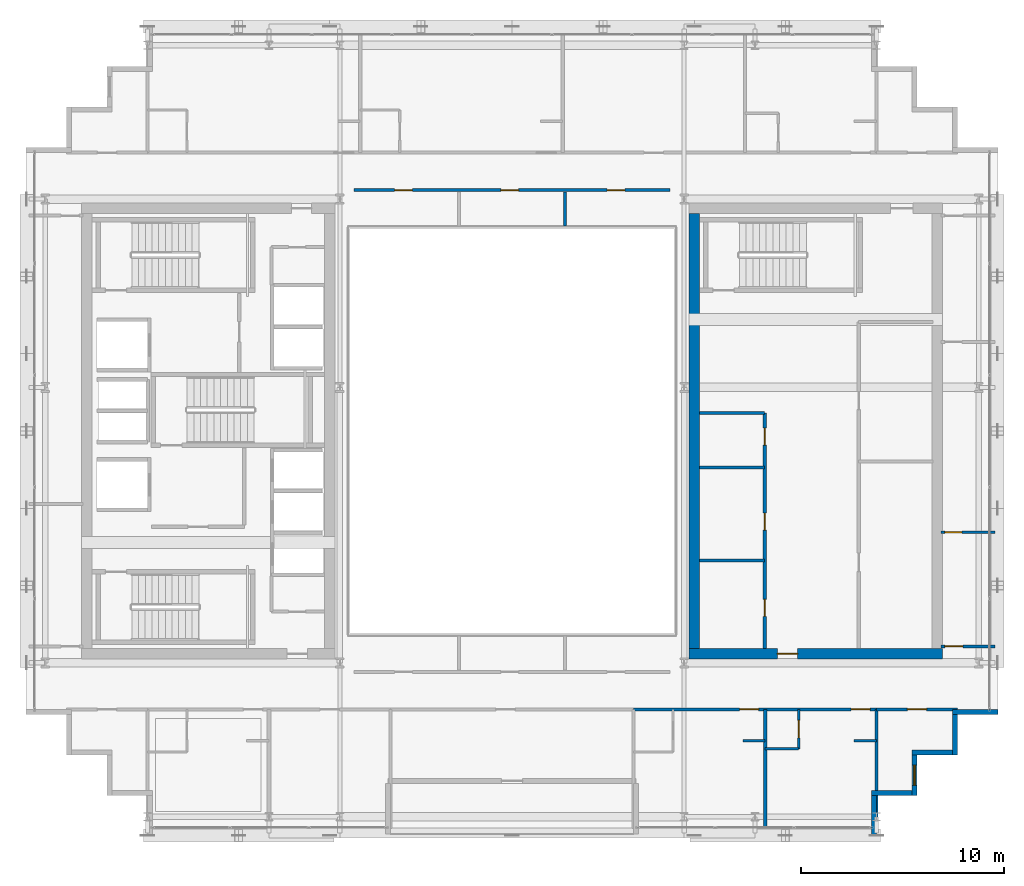
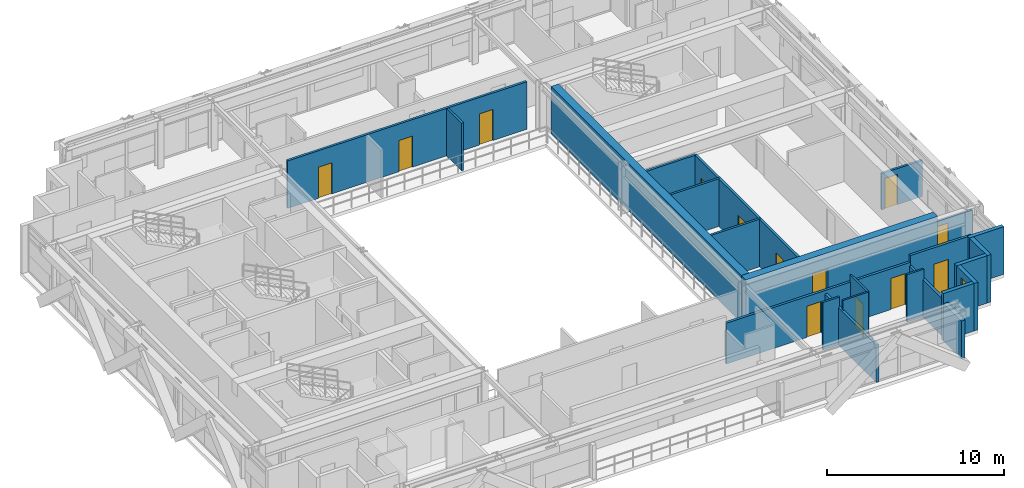
# One storey, part 26 of 32: 24 walls, 13 doors, 1 window, 14 openings.
"""IFC4 building model written with IfcOpenShell, lengths in metres."""

from ifc_helpers import new_model, si_unit, direction, frame, frame_2d, origin, place, context, subcontext, project, spatial, rectangle, extrude, source, transform, mapped, material, layer, layer_set, type_object, element, fill, save


model = new_model("IFC4")

# Units and contexts
model_context = context("Model", 3, precision=1e-05, world=origin(), true_north=direction((0.0, 1.0)))
body_context = subcontext(model_context, "Body", "Model", "MODEL_VIEW")
ifc_project = project(units=[si_unit("LENGTHUNIT", "METRE"), si_unit("AREAUNIT", "SQUARE_METRE"), si_unit("VOLUMEUNIT", "CUBIC_METRE"), si_unit("PLANEANGLEUNIT", "RADIAN"), si_unit("MASSUNIT", "GRAM", prefix="KILO")], contexts=[model_context])

# Site, building, storey
site_placement = place(None, origin())
site = spatial("IfcSite", under=ifc_project, at=site_placement, CompositionType="ELEMENT")
building_placement = place(site_placement, origin())
building = spatial("IfcBuilding", under=site, at=building_placement, Name="Ocotamira Hotel", CompositionType="ELEMENT")
storey_placement = place(building_placement, frame((0.0, 0.0, 217.199951171875)))
storey = spatial("IfcBuildingStorey", under=building, at=storey_placement, Name="L55", CompositionType="ELEMENT", Elevation=217.199951171875)

# Wall, opening, door
ifc_material_1 = material(Name="Concrete C50/60", Category="concrete")
ifc_layer_1 = layer(ifc_material_1, 0.5)
ifc_layer_set_1 = layer_set([ifc_layer_1], Name="Concrete C50/60")
wall_type_1 = type_object("IfcWallType", Name="WL-CORE-500", PredefinedType="SHEAR", material=ifc_layer_set_1)
wall_1_placement = place(storey_placement, frame((40.75, 15.0, 0.0), z_axis=(0.0, 0.0, 1.0), x_axis=(1.0, 0.0, 0.0)))
wall_1 = element("IfcWall", 1, at=wall_1_placement, inside=storey, type_object=wall_type_1, Name="L55 Shear Core Wall ECORE-S", PredefinedType="SHEAR", context=body_context, shape_type="SweptSolid", body=[
    extrude(rectangle(XDim=12.5, YDim=0.5, at=frame_2d((6.25, 0.0))), origin(), (0.0, 0.0, 1.0), 3.280029296875),
])
opening_1_placement = place(wall_1_placement, frame((4.35009765625, 0.0, 0.0)))
opening_1 = element("IfcOpeningElement", 2, at=opening_1_placement, cuts=wall_1, Name="Opening D-FR2", PredefinedType="OPENING", context=body_context, shape_type="SweptSolid", body=[
    extrude(rectangle(XDim=1.0, YDim=2.14990234375, at=frame_2d((0.5, 1.074951171875))), frame((0.0, 0.260009765625, 0.0), z_axis=(0.0, -1.0, 0.0), x_axis=(1.0, 0.0, 0.0)), (0.0, 0.0, 1.0), 0.52001953125),
])
ifc_material_2 = material(Name="Fire-rated acoustic timber-veneer door", Category="wood")
door_type_1 = type_object("IfcDoorType", Name="DR-FIRE-1000", OperationType="NOTDEFINED", PredefinedType="DOOR", material=ifc_material_2)
shared_shape_1 = source(origin(), body_context, "Body", "SweptSolid", [
    extrude(rectangle(XDim=1.0, YDim=2.14990234375, at=frame_2d((0.5, 1.074951171875))), frame((0.0, 0.02490234375, 0.0), z_axis=(0.0, -1.0, 0.0), x_axis=(1.0, 0.0, 0.0)), (0.0, 0.0, 1.0), 0.050048828125),
])
door_1_placement = place(opening_1_placement, origin())
door_1 = element("IfcDoor", 3, at=door_1_placement, inside=storey, type_object=door_type_1, Name="L55 Door ID-L55-ELOB-S-D [ID-L55-ELOB-S-D]", OperationType="SINGLE_SWING_RIGHT", OverallHeight=2.14990234375, OverallWidth=1.0, PredefinedType="DOOR", context=body_context, shape_type="MappedRepresentation", body=[
    mapped(shared_shape_1, transform((0.0, 0.0, 0.0), scale=1.0)),
])
fill(opening_1, door_1)

# Walls
wall_2_placement = place(storey_placement, frame((41.0, 15.25, 0.0), z_axis=(0.0, 0.0, 1.0), x_axis=(0.0, 1.0, 0.0)))
element("IfcWall", 4, at=wall_2_placement, inside=storey, type_object=wall_type_1, Name="L55 Shear Core Wall ECORE-W", PredefinedType="SHEAR", context=body_context, shape_type="SweptSolid", body=[
    extrude(rectangle(XDim=21.5, YDim=0.5, at=frame_2d((10.75, 0.0))), origin(), (0.0, 0.0, 1.0), 3.280029296875),
])
ifc_material_3 = material(Name="Precast concrete C45/55", Category="concrete")
ifc_layer_2 = layer(ifc_material_3, 0.25)
ifc_layer_set_2 = layer_set([ifc_layer_2], Name="Precast concrete C45/55")
wall_type_2 = type_object("IfcWallType", Name="WL-EXT-SER-250", PredefinedType="SOLIDWALL", material=ifc_layer_set_2)
wall_3_placement = place(storey_placement, frame((49.875, 6.0, 0.0), z_axis=(0.0, 0.0, 1.0), x_axis=(0.0, 1.0, 0.0)))
element("IfcWall", 5, at=wall_3_placement, inside=storey, type_object=wall_type_2, Name="L55 Serrated Corner Wall 01", PredefinedType="SOLIDWALL", context=body_context, shape_type="SweptSolid", body=[
    extrude(rectangle(XDim=2.0, YDim=0.25, at=frame_2d((1.0, 0.0))), origin(), (0.0, 0.0, 1.0), 2.587158203125),
])
wall_4_placement = place(storey_placement, frame((49.75, 8.125, 0.0), z_axis=(0.0, 0.0, 1.0), x_axis=(1.0, 0.0, 0.0)))
element("IfcWall", 6, at=wall_4_placement, inside=storey, type_object=wall_type_2, Name="L55 Serrated Corner Wall 02", PredefinedType="SOLIDWALL", context=body_context, shape_type="SweptSolid", body=[
    extrude(rectangle(XDim=2.0, YDim=0.25, at=frame_2d((1.0, 0.0))), origin(), (0.0, 0.0, 1.0), 3.280029296875),
])

# Wall, opening, window
wall_5_placement = place(storey_placement, frame((51.875, 8.0, 0.0), z_axis=(0.0, 0.0, 1.0), x_axis=(0.0, 1.0, 0.0)))
wall_5 = element("IfcWall", 7, at=wall_5_placement, inside=storey, type_object=wall_type_2, Name="L55 Serrated Corner Wall 03", PredefinedType="SOLIDWALL", context=body_context, shape_type="SweptSolid", body=[
    extrude(rectangle(XDim=2.0, YDim=0.25, at=frame_2d((1.0, 0.0))), origin(), (0.0, 0.0, 1.0), 3.280029296875),
])
opening_2_placement = place(wall_5_placement, frame((0.5, 0.0, 0.85009765625)))
opening_2 = element("IfcOpeningElement", 8, at=opening_2_placement, cuts=wall_5, Name="Opening WN-2", PredefinedType="OPENING", context=body_context, shape_type="SweptSolid", body=[
    extrude(rectangle(XDim=1.0, YDim=1.89990234375, at=frame_2d((0.5, 0.949951171875))), frame((0.0, 0.135009765625, 0.0), z_axis=(0.0, -1.0, 0.0), x_axis=(1.0, 0.0, 0.0)), (0.0, 0.0, 1.0), 0.27001953125),
])
ifc_material_4 = material(Name="Double-silver low-E solar glass", Category="glass")
window_type = type_object("IfcWindowType", Name="WIN-SER-1100", PartitioningType="SINGLE_PANEL", PredefinedType="WINDOW", material=ifc_material_4)
shared_shape_2 = source(origin(), body_context, "Body", "SweptSolid", [
    extrude(rectangle(XDim=1.0, YDim=1.89990234375, at=frame_2d((0.5, 0.949951171875))), frame((0.0, 0.030029296875, 0.0), z_axis=(0.0, -1.0, 0.0), x_axis=(1.0, 0.0, 0.0)), (0.0, 0.0, 1.0), 0.06005859375),
])
window_placement = place(opening_2_placement, origin())
window = element("IfcWindow", 9, at=window_placement, inside=storey, type_object=window_type, Name="L55 Serrated Corner Window 03", OverallHeight=1.89990234375, OverallWidth=1.0, PartitioningType="SINGLE_PANEL", PredefinedType="WINDOW", context=body_context, shape_type="MappedRepresentation", body=[
    mapped(shared_shape_2, transform((0.0, 0.0, 0.0), scale=1.0)),
])
fill(opening_2, window)

# Walls
for number, where, z_axis, x_axis, name in (
    (10, (51.75, 10.125, 0.0), (0.0, 0.0, 1.0), (1.0, 0.0, 0.0), "L55 Serrated Corner Wall 04"),
    (11, (53.875, 10.0, 0.0), (0.0, 0.0, 1.0), (0.0, 1.0, 0.0), "L55 Serrated Corner Wall 05"),
):
    element("IfcWall", number, at=place(storey_placement, frame(where, z_axis=z_axis, x_axis=x_axis)), inside=storey, type_object=wall_type_2, Name=name, PredefinedType="SOLIDWALL", context=body_context, shape_type="SweptSolid", body=[
        extrude(rectangle(XDim=2.0, YDim=0.25, at=frame_2d((1.0, 0.0))), origin(), (0.0, 0.0, 1.0), 3.280029296875),
    ])
wall_6_placement = place(storey_placement, frame((53.75, 12.125, 0.0), z_axis=(0.0, 0.0, 1.0), x_axis=(1.0, 0.0, 0.0)))
element("IfcWall", 12, at=wall_6_placement, inside=storey, type_object=wall_type_2, Name="L55 Serrated Corner Wall 06", PredefinedType="SOLIDWALL", context=body_context, shape_type="SweptSolid", body=[
    extrude(rectangle(XDim=2.25, YDim=0.25, at=frame_2d((1.125, 0.0))), origin(), (0.0, 0.0, 1.0), 3.280029296875),
])

# Wall, opening, door
ifc_material_5 = material(Name="Acoustic double-layer fire gypsum board partition", Category="gypsum")
ifc_layer_3 = layer(ifc_material_5, 0.159912109375)
ifc_layer_set_3 = layer_set([ifc_layer_3], Name="Acoustic double-layer fire gypsum board partition")
wall_type_3 = type_object("IfcWallType", Name="WL-FIRE-160", PredefinedType="PARTITIONING", material=ifc_layer_set_3)
wall_7_placement = place(storey_placement, frame((50.0, 12.25, 0.0), z_axis=(0.0, 0.0, 1.0), x_axis=(1.0, 0.0, 0.0)))
wall_7 = element("IfcWall", 13, at=wall_7_placement, inside=storey, type_object=wall_type_3, Name="L55 Interior Wall PW-L55-Z3F-CSE-CW", PredefinedType="PARTITIONING", context=body_context, shape_type="SweptSolid", body=[
    extrude(rectangle(XDim=4.0, YDim=0.159912109375, at=frame_2d((2.0, 0.0))), origin(), (0.0, 0.0, 1.0), 3.280029296875),
])
opening_3_placement = place(wall_7_placement, frame((1.52001953125, 0.0, 0.0)))
opening_3 = element("IfcOpeningElement", 14, at=opening_3_placement, cuts=wall_7, Name="Opening D-SV4", PredefinedType="OPENING", context=body_context, shape_type="SweptSolid", body=[
    extrude(rectangle(XDim=0.9599609375, YDim=2.14990234375, at=frame_2d((0.47998046875, 1.074951171875))), frame((0.0, 0.08984375, 0.0), z_axis=(0.0, -1.0, 0.0), x_axis=(1.0, 0.0, 0.0)), (0.0, 0.0, 1.0), 0.179931640625),
])
ifc_material_6 = material(Name="Fire-rated accessible walnut salon door", Category="wood")
door_type_2 = type_object("IfcDoorType", Name="DR-SERV-960", OperationType="NOTDEFINED", PredefinedType="DOOR", material=ifc_material_6)
shared_shape_3 = source(origin(), body_context, "Body", "SweptSolid", [
    extrude(rectangle(XDim=0.9599609375, YDim=2.14990234375, at=frame_2d((0.47998046875, 1.074951171875))), frame((0.0, 0.02490234375, 0.0), z_axis=(0.0, -1.0, 0.0), x_axis=(1.0, 0.0, 0.0)), (0.0, 0.0, 1.0), 0.050048828125),
])
door_2_placement = place(opening_3_placement, origin())
door_2 = element("IfcDoor", 15, at=door_2_placement, inside=storey, type_object=door_type_2, Name="L55 Door ID-L55-Z3F-CSE-CD [ID-L55-Z3F-CSE-CD]", OperationType="SINGLE_SWING_LEFT", OverallHeight=2.14990234375, OverallWidth=0.9599609375, PredefinedType="DOOR", context=body_context, shape_type="MappedRepresentation", body=[
    mapped(shared_shape_3, transform((0.0, 0.0, 0.0), scale=1.0)),
])
fill(opening_3, door_2)

# Wall, openings, doors
wall_8_placement = place(storey_placement, frame((38.0, 12.25, 0.0), z_axis=(0.0, 0.0, 1.0), x_axis=(1.0, 0.0, 0.0)))
wall_8 = element("IfcWall", 16, at=wall_8_placement, inside=storey, type_object=wall_type_3, Name="L55 Interior Wall PW-L55-Z3FSE-CORRW", PredefinedType="PARTITIONING", context=body_context, shape_type="SweptSolid", body=[
    extrude(rectangle(XDim=12.0, YDim=0.159912109375, at=frame_2d((6.0, 0.0))), origin(), (0.0, 0.0, 1.0), 2.822998046875),
])
opening_4_placement = place(wall_8_placement, frame((5.239990234375, 0.0, 0.0)))
opening_4 = element("IfcOpeningElement", 17, at=opening_4_placement, cuts=wall_8, Name="Opening D-GR1", PredefinedType="OPENING", context=body_context, shape_type="SweptSolid", body=[
    extrude(rectangle(XDim=0.93994140625, YDim=2.14990234375, at=frame_2d((0.469970703125, 1.074951171875))), frame((0.0, 0.08984375, 0.0), z_axis=(0.0, -1.0, 0.0), x_axis=(1.0, 0.0, 0.0)), (0.0, 0.0, 1.0), 0.179931640625),
])
opening_5_placement = place(wall_8_placement, frame((10.739990234375, 0.0, 0.0)))
opening_5 = element("IfcOpeningElement", 18, at=opening_5_placement, cuts=wall_8, Name="Opening D-GR1", PredefinedType="OPENING", context=body_context, shape_type="SweptSolid", body=[
    extrude(rectangle(XDim=0.93994140625, YDim=2.14990234375, at=frame_2d((0.469970703125, 1.074951171875))), frame((0.0, 0.08984375, 0.0), z_axis=(0.0, -1.0, 0.0), x_axis=(1.0, 0.0, 0.0)), (0.0, 0.0, 1.0), 0.179931640625),
])
ifc_material_7 = material(Name="Solid-core walnut suite entrance fire door", Category="wood")
door_type_3 = type_object("IfcDoorType", Name="DR-GUEST-940", OperationType="NOTDEFINED", PredefinedType="DOOR", material=ifc_material_7)
shared_shape_4 = source(origin(), body_context, "Body", "SweptSolid", [
    extrude(rectangle(XDim=0.93994140625, YDim=2.14990234375, at=frame_2d((0.469970703125, 1.074951171875))), frame((0.0, 0.02490234375, 0.0), z_axis=(0.0, -1.0, 0.0), x_axis=(1.0, 0.0, 0.0)), (0.0, 0.0, 1.0), 0.050048828125),
])
door_3_placement = place(opening_4_placement, origin())
door_3 = element("IfcDoor", 19, at=door_3_placement, inside=storey, type_object=door_type_3, Name="L55 Door ID-L55-Z3FSE-RMD1 [ID-L55-Z3FSE-RMD1]", OperationType="SINGLE_SWING_LEFT", OverallHeight=2.14990234375, OverallWidth=0.93994140625, PredefinedType="DOOR", context=body_context, shape_type="MappedRepresentation", body=[
    mapped(shared_shape_4, transform((0.0, 0.0, 0.0), scale=1.0)),
])
fill(opening_4, door_3)
door_4_placement = place(opening_5_placement, origin())
door_4 = element("IfcDoor", 20, at=door_4_placement, inside=storey, type_object=door_type_3, Name="L55 Door ID-L55-Z3FSE-RMD2 [ID-L55-Z3FSE-RMD2]", OperationType="SINGLE_SWING_RIGHT", OverallHeight=2.14990234375, OverallWidth=0.93994140625, PredefinedType="DOOR", context=body_context, shape_type="MappedRepresentation", body=[
    mapped(shared_shape_4, transform((0.0, 0.0, 0.0), scale=1.0)),
])
fill(opening_5, door_4)

# Wall
ifc_material_8 = material(Name="Moisture-resistant en-suite tile and gypsum partition", Category="gypsum")
ifc_layer_4 = layer(ifc_material_8, 0.1201171875)
ifc_layer_set_4 = layer_set([ifc_layer_4], Name="Moisture-resistant en-suite tile and gypsum partition")
wall_type_4 = type_object("IfcWallType", Name="WL-PART-120", PredefinedType="PARTITIONING", material=ifc_layer_set_4)
wall_9_placement = place(storey_placement, frame((43.39990234375, 10.699951171875, 0.0), z_axis=(0.0, 0.0, 1.0), x_axis=(1.0, 0.0, 0.0)))
element("IfcWall", 21, at=wall_9_placement, inside=storey, type_object=wall_type_4, Name="L55 Interior Wall PW-L55-Z3FSE-DRN1", PredefinedType="PARTITIONING", context=body_context, shape_type="SweptSolid", body=[
    extrude(rectangle(XDim=1.10009765625, YDim=0.1201171875, at=frame_2d((0.550048828125, 0.0))), origin(), (0.0, 0.0, 1.0), 3.280029296875),
])

# Wall, opening, door
wall_10_placement = place(storey_placement, frame((46.14990234375, 10.300048828125, 0.0), z_axis=(0.0, 0.0, 1.0), x_axis=(0.0, 1.0, 0.0)))
wall_10 = element("IfcWall", 22, at=wall_10_placement, inside=storey, type_object=wall_type_4, Name="L55 Interior Wall PW-L55-Z3FSE-BAE2", PredefinedType="PARTITIONING", context=body_context, shape_type="SweptSolid", body=[
    extrude(rectangle(XDim=1.949951171875, YDim=0.1201171875, at=frame_2d((0.97509765625, 0.0))), origin(), (0.0, 0.0, 1.0), 3.280029296875),
])
opening_6_placement = place(wall_10_placement, frame((0.544921875, 0.0, 0.0)))
opening_6 = element("IfcOpeningElement", 23, at=opening_6_placement, cuts=wall_10, Name="Opening D-BA1", PredefinedType="OPENING", context=body_context, shape_type="SweptSolid", body=[
    extrude(rectangle(XDim=0.860107421875, YDim=2.10009765625, at=frame_2d((0.43017578125, 1.050048828125))), frame((0.0, 0.070068359375, 0.0), z_axis=(0.0, -1.0, 0.0), x_axis=(1.0, 0.0, 0.0)), (0.0, 0.0, 1.0), 0.14013671875),
])
ifc_material_9 = material(Name="Moisture-sealed en-suite timber door", Category="wood")
door_type_4 = type_object("IfcDoorType", Name="DR-BATH-860", OperationType="NOTDEFINED", PredefinedType="DOOR", material=ifc_material_9)
shared_shape_5 = source(origin(), body_context, "Body", "SweptSolid", [
    extrude(rectangle(XDim=0.860107421875, YDim=2.10009765625, at=frame_2d((0.43017578125, 1.050048828125))), frame((0.0, 0.02490234375, 0.0), z_axis=(0.0, -1.0, 0.0), x_axis=(1.0, 0.0, 0.0)), (0.0, 0.0, 1.0), 0.050048828125),
])
door_5_placement = place(opening_6_placement, origin())
door_5 = element("IfcDoor", 24, at=door_5_placement, inside=storey, type_object=door_type_4, Name="L55 Door ID-L55-Z3FSE-BAD2 [ID-L55-Z3FSE-BAD2]", OperationType="SINGLE_SWING_LEFT", OverallHeight=2.10009765625, OverallWidth=0.860107421875, PredefinedType="DOOR", context=body_context, shape_type="MappedRepresentation", body=[
    mapped(shared_shape_5, transform((0.0, 0.0, 0.0), scale=1.0)),
])
fill(opening_6, door_5)

# Walls
wall_11_placement = place(storey_placement, frame((44.5, 10.300048828125, 0.0), z_axis=(0.0, 0.0, 1.0), x_axis=(1.0, 0.0, 0.0)))
element("IfcWall", 25, at=wall_11_placement, inside=storey, type_object=wall_type_4, Name="L55 Interior Wall PW-L55-Z3FSE-BAS2", PredefinedType="PARTITIONING", context=body_context, shape_type="SweptSolid", body=[
    extrude(rectangle(XDim=1.64990234375, YDim=0.1201171875, at=frame_2d((0.824951171875, 0.0))), origin(), (0.0, 0.0, 1.0), 3.280029296875),
])
wall_12_placement = place(storey_placement, frame((48.89990234375, 10.699951171875, 0.0), z_axis=(0.0, 0.0, 1.0), x_axis=(1.0, 0.0, 0.0)))
element("IfcWall", 26, at=wall_12_placement, inside=storey, type_object=wall_type_4, Name="L55 Interior Wall PW-L55-Z3FSE-DRN2", PredefinedType="PARTITIONING", context=body_context, shape_type="SweptSolid", body=[
    extrude(rectangle(XDim=1.10009765625, YDim=0.1201171875, at=frame_2d((0.550048828125, 0.0))), origin(), (0.0, 0.0, 1.0), 3.280029296875),
])
ifc_material_10 = material(Name="Acoustic hospitality gypsum board partition", Category="gypsum")
ifc_layer_5 = layer(ifc_material_10, 0.14208984375)
ifc_layer_set_5 = layer_set([ifc_layer_5], Name="Acoustic hospitality gypsum board partition")
wall_type_5 = type_object("IfcWallType", Name="WL-PART-142", PredefinedType="PARTITIONING", material=ifc_layer_set_5)
for number, where, z_axis, x_axis, name in (
    (27, (41.25, 19.60009765625, 0.0), (0.0, 0.0, 1.0), (1.0, 0.0, 0.0), "L55 Interior Wall PW-L55-EC-FMD1"),
    (28, (41.25, 24.199951171875, 0.0), (0.0, 0.0, 1.0), (1.0, 0.0, 0.0), "L55 Interior Wall PW-L55-EC-FMD2"),
):
    element("IfcWall", number, at=place(storey_placement, frame(where, z_axis=z_axis, x_axis=x_axis)), inside=storey, type_object=wall_type_5, Name=name, PredefinedType="PARTITIONING", context=body_context, shape_type="SweptSolid", body=[
        extrude(rectangle(XDim=3.22998046875, YDim=0.14208984375, at=frame_2d((1.614990234375, 0.0))), origin(), (0.0, 0.0, 1.0), 3.280029296875),
    ])
wall_13_placement = place(storey_placement, frame((34.625, 36.1201171875, 0.0), z_axis=(0.0, 0.0, 1.0), x_axis=(0.0, 1.0, 0.0)))
element("IfcWall", 29, at=wall_13_placement, inside=storey, type_object=wall_type_5, Name="L55 Interior Wall PW-L55-Z3F-ANDV2", PredefinedType="PARTITIONING", context=body_context, shape_type="SweptSolid", body=[
    extrude(rectangle(XDim=1.679931640625, YDim=0.14208984375, at=frame_2d((0.83984375, 0.0))), origin(), (0.0, 0.0, 1.0), 3.280029296875),
])

# Wall, opening, door
wall_14_placement = place(storey_placement, frame((53.179931640625, 21.0, 0.0), z_axis=(0.0, 0.0, 1.0), x_axis=(1.0, 0.0, 0.0)))
wall_14 = element("IfcWall", 30, at=wall_14_placement, inside=storey, type_object=wall_type_5, Name="L55 Interior Wall PW-L55-Z3F-EF-DV1", PredefinedType="PARTITIONING", context=body_context, shape_type="SweptSolid", body=[
    extrude(rectangle(XDim=2.66015625, YDim=0.14208984375, at=frame_2d((1.330078125, 0.0))), origin(), (0.0, 0.0, 1.0), 2.5009765625),
])
opening_7_placement = place(wall_14_placement, frame((0.199951171875, 0.0, 0.0)))
opening_7 = element("IfcOpeningElement", 31, at=opening_7_placement, cuts=wall_14, Name="Opening D-SV1", PredefinedType="OPENING", context=body_context, shape_type="SweptSolid", body=[
    extrude(rectangle(XDim=0.840087890625, YDim=2.10009765625, at=frame_2d((0.419921875, 1.050048828125))), frame((0.0, 0.0810546875, 0.0), z_axis=(0.0, -1.0, 0.0), x_axis=(1.0, 0.0, 0.0)), (0.0, 0.0, 1.0), 0.162109375),
])
ifc_material_11 = material(Name="Fire-rated painted steel service door", Category="steel")
door_type_5 = type_object("IfcDoorType", Name="DR-SERV-840", OperationType="NOTDEFINED", PredefinedType="DOOR", material=ifc_material_11)
shared_shape_6 = source(origin(), body_context, "Body", "SweptSolid", [
    extrude(rectangle(XDim=0.840087890625, YDim=2.10009765625, at=frame_2d((0.419921875, 1.050048828125))), frame((0.0, 0.02490234375, 0.0), z_axis=(0.0, -1.0, 0.0), x_axis=(1.0, 0.0, 0.0)), (0.0, 0.0, 1.0), 0.050048828125),
])
door_6_placement = place(opening_7_placement, origin())
door_6 = element("IfcDoor", 32, at=door_6_placement, inside=storey, type_object=door_type_5, Name="L55 Door ID-L55-Z3F-EF-DV1D [ID-L55-Z3F-EF-DV1D]", OperationType="SINGLE_SWING_LEFT", OverallHeight=2.10009765625, OverallWidth=0.840087890625, PredefinedType="DOOR", context=body_context, shape_type="MappedRepresentation", body=[
    mapped(shared_shape_6, transform((0.0, 0.0, 0.0), scale=1.0)),
])
fill(opening_7, door_6)

# Wall
ifc_layer_6 = layer(ifc_material_10, 0.14990234375)
ifc_layer_set_6 = layer_set([ifc_layer_6], Name="Acoustic hospitality gypsum board partition")
wall_type_6 = type_object("IfcWallType", Name="WL-PART-150", PredefinedType="PARTITIONING", material=ifc_layer_set_6)
wall_15_placement = place(storey_placement, frame((41.25, 26.8798828125, 0.0), z_axis=(0.0, 0.0, 1.0), x_axis=(1.0, 0.0, 0.0)))
element("IfcWall", 33, at=wall_15_placement, inside=storey, type_object=wall_type_6, Name="L55 Interior Wall PW-L55-EC-FMID-N", PredefinedType="PARTITIONING", context=body_context, shape_type="SweptSolid", body=[
    extrude(rectangle(XDim=3.22998046875, YDim=0.14990234375, at=frame_2d((1.614990234375, 0.0))), origin(), (0.0, 0.0, 1.0), 3.280029296875),
])

# Wall, openings, doors
wall_16_placement = place(storey_placement, frame((44.47998046875, 15.25, 0.0), z_axis=(0.0, 0.0, 1.0), x_axis=(0.0, 1.0, 0.0)))
wall_16 = element("IfcWall", 34, at=wall_16_placement, inside=storey, type_object=wall_type_6, Name="L55 Interior Wall PW-L55-EC-FMID-E", PredefinedType="PARTITIONING", context=body_context, shape_type="SweptSolid", body=[
    extrude(rectangle(XDim=11.6298828125, YDim=0.14990234375, at=frame_2d((5.81494140625, 0.0))), origin(), (0.0, 0.0, 1.0), 3.280029296875),
])
opening_8_placement = place(wall_16_placement, frame((1.60009765625, 0.0, 0.0)))
opening_8 = element("IfcOpeningElement", 35, at=opening_8_placement, cuts=wall_16, Name="Opening D-SV1", PredefinedType="OPENING", context=body_context, shape_type="SweptSolid", body=[
    extrude(rectangle(XDim=0.840087890625, YDim=2.10009765625, at=frame_2d((0.419921875, 1.050048828125))), frame((0.0, 0.0849609375, 0.0), z_axis=(0.0, -1.0, 0.0), x_axis=(1.0, 0.0, 0.0)), (0.0, 0.0, 1.0), 0.169921875),
])
opening_9_placement = place(wall_16_placement, frame((5.85009765625, 0.0, 0.0)))
opening_9 = element("IfcOpeningElement", 36, at=opening_9_placement, cuts=wall_16, Name="Opening D-SV1", PredefinedType="OPENING", context=body_context, shape_type="SweptSolid", body=[
    extrude(rectangle(XDim=0.840087890625, YDim=2.10009765625, at=frame_2d((0.419921875, 1.050048828125))), frame((0.0, 0.0849609375, 0.0), z_axis=(0.0, -1.0, 0.0), x_axis=(1.0, 0.0, 0.0)), (0.0, 0.0, 1.0), 0.169921875),
])
opening_10_placement = place(wall_16_placement, frame((10.050048828125, 0.0, 0.0)))
opening_10 = element("IfcOpeningElement", 37, at=opening_10_placement, cuts=wall_16, Name="Opening D-SV1", PredefinedType="OPENING", context=body_context, shape_type="SweptSolid", body=[
    extrude(rectangle(XDim=0.840087890625, YDim=2.10009765625, at=frame_2d((0.419921875, 1.050048828125))), frame((0.0, 0.0849609375, 0.0), z_axis=(0.0, -1.0, 0.0), x_axis=(1.0, 0.0, 0.0)), (0.0, 0.0, 1.0), 0.169921875),
])
door_7_placement = place(opening_8_placement, origin())
door_7 = element("IfcDoor", 38, at=door_7_placement, inside=storey, type_object=door_type_5, Name="L55 Door ID-L55-EC-FMD-1 [ID-L55-EC-FMD-1]", OperationType="SINGLE_SWING_LEFT", OverallHeight=2.10009765625, OverallWidth=0.840087890625, PredefinedType="DOOR", context=body_context, shape_type="MappedRepresentation", body=[
    mapped(shared_shape_6, transform((0.0, 0.0, 0.0), scale=1.0)),
])
fill(opening_8, door_7)
door_8_placement = place(opening_9_placement, origin())
door_8 = element("IfcDoor", 39, at=door_8_placement, inside=storey, type_object=door_type_5, Name="L55 Door ID-L55-EC-FMD-2 [ID-L55-EC-FMD-2]", OperationType="SINGLE_SWING_RIGHT", OverallHeight=2.10009765625, OverallWidth=0.840087890625, PredefinedType="DOOR", context=body_context, shape_type="MappedRepresentation", body=[
    mapped(shared_shape_6, transform((0.0, 0.0, 0.0), scale=1.0)),
])
fill(opening_9, door_8)
door_9_placement = place(opening_10_placement, origin())
door_9 = element("IfcDoor", 40, at=door_9_placement, inside=storey, type_object=door_type_5, Name="L55 Door ID-L55-EC-FMD-3 [ID-L55-EC-FMD-3]", OperationType="SINGLE_SWING_LEFT", OverallHeight=2.10009765625, OverallWidth=0.840087890625, PredefinedType="DOOR", context=body_context, shape_type="MappedRepresentation", body=[
    mapped(shared_shape_6, transform((0.0, 0.0, 0.0), scale=1.0)),
])
fill(opening_10, door_9)

wall_17_placement = place(storey_placement, frame((24.199951171875, 37.89990234375, 0.0), z_axis=(0.0, 0.0, 1.0), x_axis=(1.0, 0.0, 0.0)))
wall_17 = element("IfcWall", 41, at=wall_17_placement, inside=storey, type_object=wall_type_6, Name="L55 Interior Wall PW-L55-Z3F-ATRNW", PredefinedType="PARTITIONING", context=body_context, shape_type="SweptSolid", body=[
    extrude(rectangle(XDim=15.60009765625, YDim=0.14990234375, at=frame_2d((7.800048828125, 0.0))), origin(), (0.0, 0.0, 1.0), 3.280029296875),
])
opening_11_placement = place(wall_17_placement, frame((2.0, 0.0, 0.0)))
opening_11 = element("IfcOpeningElement", 42, at=opening_11_placement, cuts=wall_17, Name="Opening D-SV2", PredefinedType="OPENING", context=body_context, shape_type="SweptSolid", body=[
    extrude(rectangle(XDim=0.8798828125, YDim=2.14990234375, at=frame_2d((0.43994140625, 1.074951171875))), frame((0.0, 0.0849609375, 0.0), z_axis=(0.0, -1.0, 0.0), x_axis=(1.0, 0.0, 0.0)), (0.0, 0.0, 1.0), 0.169921875),
])
opening_12_placement = place(wall_17_placement, frame((7.25, 0.0, 0.0)))
opening_12 = element("IfcOpeningElement", 43, at=opening_12_placement, cuts=wall_17, Name="Opening D-SV2", PredefinedType="OPENING", context=body_context, shape_type="SweptSolid", body=[
    extrude(rectangle(XDim=0.8798828125, YDim=2.14990234375, at=frame_2d((0.43994140625, 1.074951171875))), frame((0.0, 0.0849609375, 0.0), z_axis=(0.0, -1.0, 0.0), x_axis=(1.0, 0.0, 0.0)), (0.0, 0.0, 1.0), 0.169921875),
])
opening_13_placement = place(wall_17_placement, frame((12.5, 0.0, 0.0)))
opening_13 = element("IfcOpeningElement", 44, at=opening_13_placement, cuts=wall_17, Name="Opening D-SV2", PredefinedType="OPENING", context=body_context, shape_type="SweptSolid", body=[
    extrude(rectangle(XDim=0.8798828125, YDim=2.14990234375, at=frame_2d((0.43994140625, 1.074951171875))), frame((0.0, 0.0849609375, 0.0), z_axis=(0.0, -1.0, 0.0), x_axis=(1.0, 0.0, 0.0)), (0.0, 0.0, 1.0), 0.169921875),
])
door_type_6 = type_object("IfcDoorType", Name="DR-SERV-880", OperationType="NOTDEFINED", PredefinedType="DOOR", material=ifc_material_11)
shared_shape_7 = source(origin(), body_context, "Body", "SweptSolid", [
    extrude(rectangle(XDim=0.8798828125, YDim=2.14990234375, at=frame_2d((0.43994140625, 1.074951171875))), frame((0.0, 0.02490234375, 0.0), z_axis=(0.0, -1.0, 0.0), x_axis=(1.0, 0.0, 0.0)), (0.0, 0.0, 1.0), 0.050048828125),
])
door_10_placement = place(opening_11_placement, origin())
door_10 = element("IfcDoor", 45, at=door_10_placement, inside=storey, type_object=door_type_6, Name="L55 Door ID-L55-Z3F-ANDD1 [ID-L55-Z3F-ANDD1]", OperationType="SINGLE_SWING_RIGHT", OverallHeight=2.14990234375, OverallWidth=0.8798828125, PredefinedType="DOOR", context=body_context, shape_type="MappedRepresentation", body=[
    mapped(shared_shape_7, transform((0.0, 0.0, 0.0), scale=1.0)),
])
fill(opening_11, door_10)
door_11_placement = place(opening_12_placement, origin())
door_11 = element("IfcDoor", 46, at=door_11_placement, inside=storey, type_object=door_type_6, Name="L55 Door ID-L55-Z3F-ANDD2 [ID-L55-Z3F-ANDD2]", OperationType="SINGLE_SWING_RIGHT", OverallHeight=2.14990234375, OverallWidth=0.8798828125, PredefinedType="DOOR", context=body_context, shape_type="MappedRepresentation", body=[
    mapped(shared_shape_7, transform((0.0, 0.0, 0.0), scale=1.0)),
])
fill(opening_12, door_11)
door_12_placement = place(opening_13_placement, origin())
door_12 = element("IfcDoor", 47, at=door_12_placement, inside=storey, type_object=door_type_6, Name="L55 Door ID-L55-Z3F-ANDD3 [ID-L55-Z3F-ANDD3]", OperationType="SINGLE_SWING_RIGHT", OverallHeight=2.14990234375, OverallWidth=0.8798828125, PredefinedType="DOOR", context=body_context, shape_type="MappedRepresentation", body=[
    mapped(shared_shape_7, transform((0.0, 0.0, 0.0), scale=1.0)),
])
fill(opening_13, door_12)

# Wall, opening, door
wall_18_placement = place(storey_placement, frame((53.179931640625, 15.360107421875, 0.0), z_axis=(0.0, 0.0, 1.0), x_axis=(1.0, 0.0, 0.0)))
wall_18 = element("IfcWall", 48, at=wall_18_placement, inside=storey, type_object=wall_type_6, Name="L55 Interior Wall PW-L55-Z3F-EF-WS", PredefinedType="PARTITIONING", context=body_context, shape_type="SweptSolid", body=[
    extrude(rectangle(XDim=2.66015625, YDim=0.14990234375, at=frame_2d((1.330078125, 0.0))), origin(), (0.0, 0.0, 1.0), 2.5009765625),
])
opening_14_placement = place(wall_18_placement, frame((0.199951171875, 0.0, 0.0)))
opening_14 = element("IfcOpeningElement", 49, at=opening_14_placement, cuts=wall_18, Name="Opening D-SV2", PredefinedType="OPENING", context=body_context, shape_type="SweptSolid", body=[
    extrude(rectangle(XDim=0.8798828125, YDim=2.14990234375, at=frame_2d((0.43994140625, 1.074951171875))), frame((0.0, 0.0849609375, 0.0), z_axis=(0.0, -1.0, 0.0), x_axis=(1.0, 0.0, 0.0)), (0.0, 0.0, 1.0), 0.169921875),
])
door_13_placement = place(opening_14_placement, origin())
door_13 = element("IfcDoor", 50, at=door_13_placement, inside=storey, type_object=door_type_6, Name="L55 Door ID-L55-Z3F-EF-DS [ID-L55-Z3F-EF-DS]", OperationType="SINGLE_SWING_RIGHT", OverallHeight=2.14990234375, OverallWidth=0.8798828125, PredefinedType="DOOR", context=body_context, shape_type="MappedRepresentation", body=[
    mapped(shared_shape_7, transform((0.0, 0.0, 0.0), scale=1.0)),
])
fill(opening_14, door_13)

# Walls
ifc_material_12 = material(Name="Acoustic double-stud hospitality gypsum partition", Category="gypsum")
ifc_layer_7 = layer(ifc_material_12, 0.159912109375)
ifc_layer_set_7 = layer_set([ifc_layer_7], Name="Acoustic double-stud hospitality gypsum partition")
wall_type_7 = type_object("IfcWallType", Name="WL-PART-160", PredefinedType="PARTITIONING", material=ifc_layer_set_7)
wall_19_placement = place(storey_placement, frame((50.0, 6.360107421875, 0.0), z_axis=(0.0, 0.0, 1.0), x_axis=(0.0, 1.0, 0.0)))
element("IfcWall", 51, at=wall_19_placement, inside=storey, type_object=wall_type_7, Name="L55 Interior Wall PW-L55-Z3FSE-PWEND", PredefinedType="PARTITIONING", context=body_context, shape_type="SweptSolid", body=[
    extrude(rectangle(XDim=5.889892578125, YDim=0.159912109375, at=frame_2d((2.94482421875, 0.0))), origin(), (0.0, 0.0, 1.0), 2.587158203125),
])
ifc_material_13 = material(Name="Double-stud suite party gypsum partition", Category="gypsum")
ifc_layer_8 = layer(ifc_material_13, 0.175048828125)
ifc_layer_set_8 = layer_set([ifc_layer_8], Name="Double-stud suite party gypsum partition")
wall_type_8 = type_object("IfcWallType", Name="WL-PART-175", PredefinedType="PARTITIONING", material=ifc_layer_set_8)
wall_20_placement = place(storey_placement, frame((44.5, 6.360107421875, 0.0), z_axis=(0.0, 0.0, 1.0), x_axis=(0.0, 1.0, 0.0)))
element("IfcWall", 52, at=wall_20_placement, inside=storey, type_object=wall_type_8, Name="L55 Interior Wall PW-L55-Z3FSE-PW1", PredefinedType="PARTITIONING", context=body_context, shape_type="SweptSolid", body=[
    extrude(rectangle(XDim=5.889892578125, YDim=0.175048828125, at=frame_2d((2.94482421875, 0.0))), origin(), (0.0, 0.0, 1.0), 2.587158203125),
])

save(model, "model.ifc")
